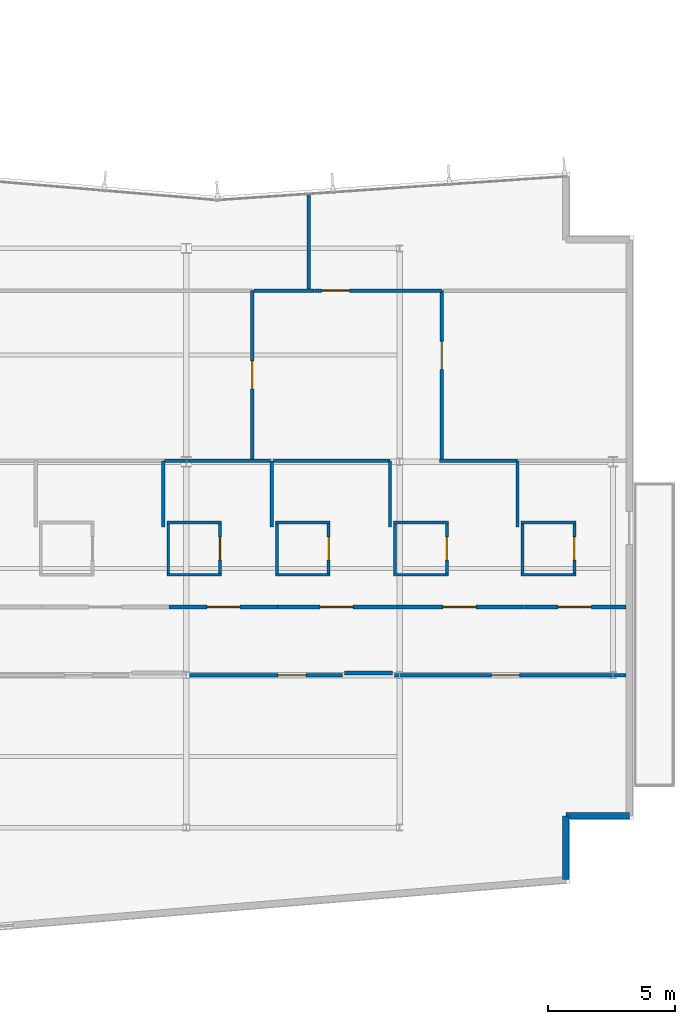
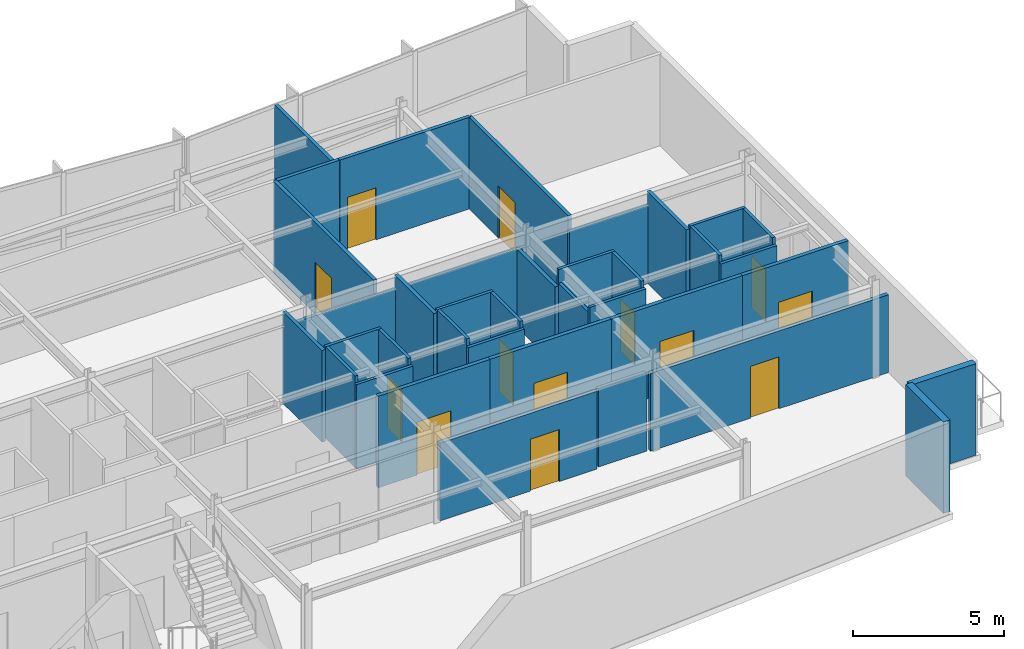
# One storey, part 11 of 15: 37 walls, 13 doors, 13 openings.
"""IFC4 building model written with IfcOpenShell, lengths in metres."""

from ifc_helpers import new_model, si_unit, direction, frame, frame_2d, origin, place, context, subcontext, project, spatial, rectangle, extrude, material, layer, layer_set, type_object, element, fill, save


model = new_model("IFC4")

# Units and contexts
model_context = context("Model", 3, precision=1e-05, world=origin(), true_north=direction((0.0, 1.0)))
body_context = subcontext(model_context, "Body", "Model", "MODEL_VIEW")
ifc_project = project(units=[si_unit("LENGTHUNIT", "METRE"), si_unit("AREAUNIT", "SQUARE_METRE"), si_unit("VOLUMEUNIT", "CUBIC_METRE"), si_unit("PLANEANGLEUNIT", "RADIAN"), si_unit("MASSUNIT", "GRAM", prefix="KILO")], contexts=[model_context])

# Site, building, storey
site_placement = place(None, origin())
site = spatial("IfcSite", under=ifc_project, at=site_placement, CompositionType="ELEMENT")
building_placement = place(site_placement, origin())
building = spatial("IfcBuilding", under=site, at=building_placement, Name="Varnakote Quay Hospital", CompositionType="ELEMENT")
storey_placement = place(building_placement, frame((0.0, 0.0, 200.0)))
storey = spatial("IfcBuildingStorey", under=building, at=storey_placement, Name="L49", CompositionType="ELEMENT", Elevation=200.0)

# Walls
ifc_material_1 = material(Name="Fire-rated acoustic gypsum stud wall", Category="gypsum")
ifc_layer_1 = layer(ifc_material_1, 0.159912109375)
ifc_layer_set_1 = layer_set([ifc_layer_1], Name="Fire-rated acoustic gypsum stud wall")
wall_type_1 = type_object("IfcWallType", Name="WL-COMP-160", PredefinedType="PARTITIONING", material=ifc_layer_set_1)
wall_1_placement = place(storey_placement, frame((39.83935546875, 12.080078125, 0.0), z_axis=(0.0, 0.0, 1.0), x_axis=(1.0, 0.0, 0.0)))
element("IfcWall", 1, at=wall_1_placement, inside=storey, type_object=wall_type_1, Name="L49 Corridor South Gap Wall", PredefinedType="PARTITIONING", context=body_context, shape_type="SweptSolid", body=[
    extrude(rectangle(XDim=1.871337890625, YDim=0.159912109375, at=frame_2d((0.935546875, 0.0))), origin(), (0.0, 0.0, 1.0), 3.152099609375),
])
ifc_material_2 = material(Name="Moisture-resistant bathroom partition", Category="gypsum")
ifc_layer_2 = layer(ifc_material_2, 0.114990234375)
ifc_layer_set_2 = layer_set([ifc_layer_2], Name="Moisture-resistant bathroom partition")
wall_type_2 = type_object("IfcWallType", Name="WL-ENS-115", PredefinedType="PARTITIONING", material=ifc_layer_set_2)
wall_2_placement = place(storey_placement, frame((32.8349609375, 15.952392578125, 0.0), z_axis=(0.0, 0.0, 1.0), x_axis=(1.0, 0.0, 0.0)))
element("IfcWall", 2, at=wall_2_placement, inside=storey, type_object=wall_type_2, Name="L49 Inpatient En-Suite Bathroom 05 S Wall", PredefinedType="PARTITIONING", context=body_context, shape_type="SweptSolid", body=[
    extrude(rectangle(XDim=2.150146484375, YDim=0.114990234375, at=frame_2d((1.0751953125, 0.0))), origin(), (0.0, 0.0, 1.0), 3.428955078125),
])
wall_3_placement = place(storey_placement, frame((32.8349609375, 18.017578125, 0.0), z_axis=(0.0, 0.0, 1.0), x_axis=(1.0, 0.0, 0.0)))
element("IfcWall", 3, at=wall_3_placement, inside=storey, type_object=wall_type_2, Name="L49 Inpatient En-Suite Bathroom 05 N Wall", PredefinedType="PARTITIONING", context=body_context, shape_type="SweptSolid", body=[
    extrude(rectangle(XDim=2.150146484375, YDim=0.114990234375, at=frame_2d((1.0751953125, 0.0))), origin(), (0.0, 0.0, 1.0), 3.7099609375),
])
wall_4_placement = place(storey_placement, frame((32.892578125, 16.010009765625, 0.0), z_axis=(0.0, 0.0, 1.0), x_axis=(0.0, 1.0, 0.0)))
element("IfcWall", 4, at=wall_4_placement, inside=storey, type_object=wall_type_2, Name="L49 Inpatient En-Suite Bathroom 05 W Wall", PredefinedType="PARTITIONING", context=body_context, shape_type="SweptSolid", body=[
    extrude(rectangle(XDim=1.949951171875, YDim=0.114990234375, at=frame_2d((0.97509765625, 0.0))), origin(), (0.0, 0.0, 1.0), 3.7099609375),
])

# Wall, opening, door
wall_5_placement = place(storey_placement, frame((34.927490234375, 16.010009765625, 0.0), z_axis=(0.0, 0.0, 1.0), x_axis=(0.0, 1.0, 0.0)))
wall_5 = element("IfcWall", 5, at=wall_5_placement, inside=storey, type_object=wall_type_2, Name="L49 Inpatient En-Suite Bathroom 05 E Wall", PredefinedType="PARTITIONING", context=body_context, shape_type="SweptSolid", body=[
    extrude(rectangle(XDim=1.949951171875, YDim=0.114990234375, at=frame_2d((0.97509765625, 0.0))), origin(), (0.0, 0.0, 1.0), 3.7099609375),
])
opening_1_placement = place(wall_5_placement, frame((0.514892578125, 0.0, 0.0)))
opening_1 = element("IfcOpeningElement", 6, at=opening_1_placement, cuts=wall_5, Name="Opening D-L49-ENS05", PredefinedType="OPENING", context=body_context, shape_type="SweptSolid", body=[
    extrude(rectangle(XDim=0.919921875, YDim=2.10009765625, at=frame_2d((0.4599609375, 1.050048828125))), frame((0.0, 0.0673828125, 0.0), z_axis=(0.0, -1.0, 0.0), x_axis=(1.0, 0.0, 0.0)), (0.0, 0.0, 1.0), 0.135009765625),
])
ifc_material_3 = material(Name="Moisture-sealed en-suite bathroom door")
door_type_1 = type_object("IfcDoorType", Name="DR-ENS-920x2100", OperationType="NOTDEFINED", PredefinedType="DOOR", material=ifc_material_3)
door_1_placement = place(opening_1_placement, origin())
door_1 = element("IfcDoor", 7, at=door_1_placement, inside=storey, type_object=door_type_1, Name="L49 Inpatient En-Suite Bathroom 05 Door", OperationType="SINGLE_SWING_RIGHT", OverallHeight=2.10009765625, OverallWidth=0.919921875, PredefinedType="DOOR", context=body_context, shape_type="SweptSolid", body=[
    extrude(rectangle(XDim=0.919921875, YDim=2.10009765625, at=frame_2d((0.4599609375, 1.050048828125))), frame((0.0, 0.02490234375, 0.0), z_axis=(0.0, -1.0, 0.0), x_axis=(1.0, 0.0, 0.0)), (0.0, 0.0, 1.0), 0.050048828125),
])
fill(opening_1, door_1)

# Walls
wall_6_placement = place(storey_placement, frame((37.114990234375, 15.952392578125, 0.0), z_axis=(0.0, 0.0, 1.0), x_axis=(1.0, 0.0, 0.0)))
element("IfcWall", 8, at=wall_6_placement, inside=storey, type_object=wall_type_2, Name="L49 Inpatient En-Suite Bathroom 06 S Wall", PredefinedType="PARTITIONING", context=body_context, shape_type="SweptSolid", body=[
    extrude(rectangle(XDim=2.14990234375, YDim=0.114990234375, at=frame_2d((1.074951171875, 0.0))), origin(), (0.0, 0.0, 1.0), 3.428955078125),
])
wall_7_placement = place(storey_placement, frame((37.114990234375, 18.017578125, 0.0), z_axis=(0.0, 0.0, 1.0), x_axis=(1.0, 0.0, 0.0)))
element("IfcWall", 9, at=wall_7_placement, inside=storey, type_object=wall_type_2, Name="L49 Inpatient En-Suite Bathroom 06 N Wall", PredefinedType="PARTITIONING", context=body_context, shape_type="SweptSolid", body=[
    extrude(rectangle(XDim=2.14990234375, YDim=0.114990234375, at=frame_2d((1.074951171875, 0.0))), origin(), (0.0, 0.0, 1.0), 3.7099609375),
])
wall_8_placement = place(storey_placement, frame((37.172607421875, 16.010009765625, 0.0), z_axis=(0.0, 0.0, 1.0), x_axis=(0.0, 1.0, 0.0)))
element("IfcWall", 10, at=wall_8_placement, inside=storey, type_object=wall_type_2, Name="L49 Inpatient En-Suite Bathroom 06 W Wall", PredefinedType="PARTITIONING", context=body_context, shape_type="SweptSolid", body=[
    extrude(rectangle(XDim=1.949951171875, YDim=0.114990234375, at=frame_2d((0.97509765625, 0.0))), origin(), (0.0, 0.0, 1.0), 3.7099609375),
])

# Wall, opening, door
wall_9_placement = place(storey_placement, frame((39.20751953125, 16.010009765625, 0.0), z_axis=(0.0, 0.0, 1.0), x_axis=(0.0, 1.0, 0.0)))
wall_9 = element("IfcWall", 11, at=wall_9_placement, inside=storey, type_object=wall_type_2, Name="L49 Inpatient En-Suite Bathroom 06 E Wall", PredefinedType="PARTITIONING", context=body_context, shape_type="SweptSolid", body=[
    extrude(rectangle(XDim=1.949951171875, YDim=0.114990234375, at=frame_2d((0.97509765625, 0.0))), origin(), (0.0, 0.0, 1.0), 3.7099609375),
])
opening_2_placement = place(wall_9_placement, frame((0.514892578125, 0.0, 0.0)))
opening_2 = element("IfcOpeningElement", 12, at=opening_2_placement, cuts=wall_9, Name="Opening D-L49-ENS06", PredefinedType="OPENING", context=body_context, shape_type="SweptSolid", body=[
    extrude(rectangle(XDim=0.919921875, YDim=2.10009765625, at=frame_2d((0.4599609375, 1.050048828125))), frame((0.0, 0.0673828125, 0.0), z_axis=(0.0, -1.0, 0.0), x_axis=(1.0, 0.0, 0.0)), (0.0, 0.0, 1.0), 0.135009765625),
])
door_2_placement = place(opening_2_placement, origin())
door_2 = element("IfcDoor", 13, at=door_2_placement, inside=storey, type_object=door_type_1, Name="L49 Inpatient En-Suite Bathroom 06 Door", OperationType="SINGLE_SWING_LEFT", OverallHeight=2.10009765625, OverallWidth=0.919921875, PredefinedType="DOOR", context=body_context, shape_type="SweptSolid", body=[
    extrude(rectangle(XDim=0.919921875, YDim=2.10009765625, at=frame_2d((0.4599609375, 1.050048828125))), frame((0.0, 0.02490234375, 0.0), z_axis=(0.0, -1.0, 0.0), x_axis=(1.0, 0.0, 0.0)), (0.0, 0.0, 1.0), 0.050048828125),
])
fill(opening_2, door_2)

# Walls
wall_10_placement = place(storey_placement, frame((41.764892578125, 15.952392578125, 0.0), z_axis=(0.0, 0.0, 1.0), x_axis=(1.0, 0.0, 0.0)))
element("IfcWall", 14, at=wall_10_placement, inside=storey, type_object=wall_type_2, Name="L49 Inpatient En-Suite Bathroom 07 S Wall", PredefinedType="PARTITIONING", context=body_context, shape_type="SweptSolid", body=[
    extrude(rectangle(XDim=2.150146484375, YDim=0.114990234375, at=frame_2d((1.0751953125, 0.0))), origin(), (0.0, 0.0, 1.0), 3.428955078125),
])
wall_11_placement = place(storey_placement, frame((41.764892578125, 18.017578125, 0.0), z_axis=(0.0, 0.0, 1.0), x_axis=(1.0, 0.0, 0.0)))
element("IfcWall", 15, at=wall_11_placement, inside=storey, type_object=wall_type_2, Name="L49 Inpatient En-Suite Bathroom 07 N Wall", PredefinedType="PARTITIONING", context=body_context, shape_type="SweptSolid", body=[
    extrude(rectangle(XDim=2.150146484375, YDim=0.114990234375, at=frame_2d((1.0751953125, 0.0))), origin(), (0.0, 0.0, 1.0), 3.7099609375),
])
wall_12_placement = place(storey_placement, frame((41.822509765625, 16.010009765625, 0.0), z_axis=(0.0, 0.0, 1.0), x_axis=(0.0, 1.0, 0.0)))
element("IfcWall", 16, at=wall_12_placement, inside=storey, type_object=wall_type_2, Name="L49 Inpatient En-Suite Bathroom 07 W Wall", PredefinedType="PARTITIONING", context=body_context, shape_type="SweptSolid", body=[
    extrude(rectangle(XDim=1.949951171875, YDim=0.114990234375, at=frame_2d((0.97509765625, 0.0))), origin(), (0.0, 0.0, 1.0), 3.156982421875),
])

# Wall, opening, door
wall_13_placement = place(storey_placement, frame((43.857421875, 16.010009765625, 0.0), z_axis=(0.0, 0.0, 1.0), x_axis=(0.0, 1.0, 0.0)))
wall_13 = element("IfcWall", 17, at=wall_13_placement, inside=storey, type_object=wall_type_2, Name="L49 Inpatient En-Suite Bathroom 07 E Wall", PredefinedType="PARTITIONING", context=body_context, shape_type="SweptSolid", body=[
    extrude(rectangle(XDim=1.949951171875, YDim=0.114990234375, at=frame_2d((0.97509765625, 0.0))), origin(), (0.0, 0.0, 1.0), 3.7099609375),
])
opening_3_placement = place(wall_13_placement, frame((0.514892578125, 0.0, 0.0)))
opening_3 = element("IfcOpeningElement", 18, at=opening_3_placement, cuts=wall_13, Name="Opening D-L49-ENS07", PredefinedType="OPENING", context=body_context, shape_type="SweptSolid", body=[
    extrude(rectangle(XDim=0.919921875, YDim=2.10009765625, at=frame_2d((0.4599609375, 1.050048828125))), frame((0.0, 0.0673828125, 0.0), z_axis=(0.0, -1.0, 0.0), x_axis=(1.0, 0.0, 0.0)), (0.0, 0.0, 1.0), 0.135009765625),
])
door_3_placement = place(opening_3_placement, origin())
door_3 = element("IfcDoor", 19, at=door_3_placement, inside=storey, type_object=door_type_1, Name="L49 Inpatient En-Suite Bathroom 07 Door", OperationType="SINGLE_SWING_RIGHT", OverallHeight=2.10009765625, OverallWidth=0.919921875, PredefinedType="DOOR", context=body_context, shape_type="SweptSolid", body=[
    extrude(rectangle(XDim=0.919921875, YDim=2.10009765625, at=frame_2d((0.4599609375, 1.050048828125))), frame((0.0, 0.02490234375, 0.0), z_axis=(0.0, -1.0, 0.0), x_axis=(1.0, 0.0, 0.0)), (0.0, 0.0, 1.0), 0.050048828125),
])
fill(opening_3, door_3)

# Walls
wall_14_placement = place(storey_placement, frame((46.784912109375, 15.952392578125, 0.0), z_axis=(0.0, 0.0, 1.0), x_axis=(1.0, 0.0, 0.0)))
element("IfcWall", 20, at=wall_14_placement, inside=storey, type_object=wall_type_2, Name="L49 Inpatient En-Suite Bathroom 08 S Wall", PredefinedType="PARTITIONING", context=body_context, shape_type="SweptSolid", body=[
    extrude(rectangle(XDim=2.150146484375, YDim=0.114990234375, at=frame_2d((1.0751953125, 0.0))), origin(), (0.0, 0.0, 1.0), 3.428955078125),
])
wall_15_placement = place(storey_placement, frame((46.784912109375, 18.017578125, 0.0), z_axis=(0.0, 0.0, 1.0), x_axis=(1.0, 0.0, 0.0)))
element("IfcWall", 21, at=wall_15_placement, inside=storey, type_object=wall_type_2, Name="L49 Inpatient En-Suite Bathroom 08 N Wall", PredefinedType="PARTITIONING", context=body_context, shape_type="SweptSolid", body=[
    extrude(rectangle(XDim=2.150146484375, YDim=0.114990234375, at=frame_2d((1.0751953125, 0.0))), origin(), (0.0, 0.0, 1.0), 3.7099609375),
])
wall_16_placement = place(storey_placement, frame((46.842529296875, 16.010009765625, 0.0), z_axis=(0.0, 0.0, 1.0), x_axis=(0.0, 1.0, 0.0)))
element("IfcWall", 22, at=wall_16_placement, inside=storey, type_object=wall_type_2, Name="L49 Inpatient En-Suite Bathroom 08 W Wall", PredefinedType="PARTITIONING", context=body_context, shape_type="SweptSolid", body=[
    extrude(rectangle(XDim=1.949951171875, YDim=0.114990234375, at=frame_2d((0.97509765625, 0.0))), origin(), (0.0, 0.0, 1.0), 3.7099609375),
])

# Wall, opening, door
wall_17_placement = place(storey_placement, frame((48.87744140625, 16.010009765625, 0.0), z_axis=(0.0, 0.0, 1.0), x_axis=(0.0, 1.0, 0.0)))
wall_17 = element("IfcWall", 23, at=wall_17_placement, inside=storey, type_object=wall_type_2, Name="L49 Inpatient En-Suite Bathroom 08 E Wall", PredefinedType="PARTITIONING", context=body_context, shape_type="SweptSolid", body=[
    extrude(rectangle(XDim=1.949951171875, YDim=0.114990234375, at=frame_2d((0.97509765625, 0.0))), origin(), (0.0, 0.0, 1.0), 3.7099609375),
])
opening_4_placement = place(wall_17_placement, frame((0.514892578125, 0.0, 0.0)))
opening_4 = element("IfcOpeningElement", 24, at=opening_4_placement, cuts=wall_17, Name="Opening D-L49-ENS08", PredefinedType="OPENING", context=body_context, shape_type="SweptSolid", body=[
    extrude(rectangle(XDim=0.919921875, YDim=2.10009765625, at=frame_2d((0.4599609375, 1.050048828125))), frame((0.0, 0.0673828125, 0.0), z_axis=(0.0, -1.0, 0.0), x_axis=(1.0, 0.0, 0.0)), (0.0, 0.0, 1.0), 0.135009765625),
])
door_4_placement = place(opening_4_placement, origin())
door_4 = element("IfcDoor", 25, at=door_4_placement, inside=storey, type_object=door_type_1, Name="L49 Inpatient En-Suite Bathroom 08 Door", OperationType="SINGLE_SWING_LEFT", OverallHeight=2.10009765625, OverallWidth=0.919921875, PredefinedType="DOOR", context=body_context, shape_type="SweptSolid", body=[
    extrude(rectangle(XDim=0.919921875, YDim=2.10009765625, at=frame_2d((0.4599609375, 1.050048828125))), frame((0.0, 0.02490234375, 0.0), z_axis=(0.0, -1.0, 0.0), x_axis=(1.0, 0.0, 0.0)), (0.0, 0.0, 1.0), 0.050048828125),
])
fill(opening_4, door_4)

# Walls
ifc_material_4 = material(Name="Precast concrete N50 (f'c 50 MPa)", Category="concrete")
ifc_layer_3 = layer(ifc_material_4, 0.260009765625)
ifc_layer_set_3 = layer_set([ifc_layer_3], Name="Precast concrete N50 (f'c 50 MPa)")
wall_type_3 = type_object("IfcWallType", Name="WL-EXT-BRICK-260", PredefinedType="STANDARD", material=ifc_layer_set_3)
wall_18_placement = place(storey_placement, frame((48.5400390625, 3.947509765625, 0.0), z_axis=(0.0, 0.0, 1.0), x_axis=(0.0, 1.0, 0.0)))
element("IfcWall", 26, at=wall_18_placement, inside=storey, type_object=wall_type_3, Name="L49 Brick-Faced Precast Exterior Wall", PredefinedType="STANDARD", context=body_context, shape_type="SweptSolid", body=[
    extrude(rectangle(XDim=2.512451171875, YDim=0.260009765625, at=frame_2d((1.25634765625, 0.0))), origin(), (0.0, 0.0, 1.0), 3.7099609375),
])
wall_19_placement = place(storey_placement, frame((48.5400390625, 6.4599609375, 0.0), z_axis=(0.0, 0.0, 1.0), x_axis=(1.0, 0.0, 0.0)))
element("IfcWall", 27, at=wall_19_placement, inside=storey, type_object=wall_type_3, Name="L49 Brick-Faced Precast Exterior Wall", PredefinedType="STANDARD", context=body_context, shape_type="SweptSolid", body=[
    extrude(rectangle(XDim=2.5, YDim=0.260009765625, at=frame_2d((1.25, 0.0))), origin(), (0.0, 0.0, 1.0), 3.7099609375),
])
ifc_material_5 = material(Name="Smoke-proof clinical partition", Category="gypsum")
ifc_layer_4 = layer(ifc_material_5, 0.135009765625)
ifc_layer_set_4 = layer_set([ifc_layer_4], Name="Smoke-proof clinical partition")
wall_type_4 = type_object("IfcWallType", Name="WL-SMOKE-135", PredefinedType="PARTITIONING", material=ifc_layer_set_4)
for number, where, z_axis, x_axis, name in (
    (28, (32.68994140625, 17.83251953125, 0.0), (0.0, 0.0, 1.0), (0.0, 1.0, 0.0), "L49 Clinical Interior Partition"),
    (29, (36.969970703125, 17.83251953125, 0.0), (0.0, 0.0, 1.0), (0.0, 1.0, 0.0), "L49 Clinical Interior Partition"),
):
    element("IfcWall", number, at=place(storey_placement, frame(where, z_axis=z_axis, x_axis=x_axis)), inside=storey, type_object=wall_type_4, Name=name, PredefinedType="PARTITIONING", context=body_context, shape_type="SweptSolid", body=[
        extrude(rectangle(XDim=2.607421875, YDim=0.135009765625, at=frame_2d((1.3037109375, 0.0))), origin(), (0.0, 0.0, 1.0), 3.7099609375),
    ])
wall_20_placement = place(storey_placement, frame((36.91259765625, 20.43994140625, 0.0), z_axis=(0.0, 0.0, 1.0), x_axis=(-1.0, 0.0, 0.0)))
element("IfcWall", 30, at=wall_20_placement, inside=storey, type_object=wall_type_4, Name="L49 Clinical Interior Partition", PredefinedType="PARTITIONING", context=body_context, shape_type="SweptSolid", body=[
    extrude(rectangle(XDim=4.1650390625, YDim=0.135009765625, at=frame_2d((2.08251953125, 0.0))), origin(), (0.0, 0.0, 1.0), 3.152099609375),
])
wall_21_placement = place(storey_placement, frame((41.6201171875, 17.83251953125, 0.0), z_axis=(0.0, 0.0, 1.0), x_axis=(0.0, 1.0, 0.0)))
element("IfcWall", 31, at=wall_21_placement, inside=storey, type_object=wall_type_4, Name="L49 Clinical Interior Partition", PredefinedType="PARTITIONING", context=body_context, shape_type="SweptSolid", body=[
    extrude(rectangle(XDim=2.607421875, YDim=0.135009765625, at=frame_2d((1.3037109375, 0.0))), origin(), (0.0, 0.0, 1.0), 3.156982421875),
])
wall_22_placement = place(storey_placement, frame((41.6201171875, 20.43994140625, 0.0), z_axis=(0.0, 0.0, 1.0), x_axis=(-1.0, 0.0, 0.0)))
element("IfcWall", 32, at=wall_22_placement, inside=storey, type_object=wall_type_4, Name="L49 Clinical Interior Partition", PredefinedType="PARTITIONING", context=body_context, shape_type="SweptSolid", body=[
    extrude(rectangle(XDim=4.592529296875, YDim=0.135009765625, at=frame_2d((2.29638671875, 0.0))), origin(), (0.0, 0.0, 1.0), 3.152099609375),
])
wall_23_placement = place(storey_placement, frame((46.639892578125, 17.83251953125, 0.0), z_axis=(0.0, 0.0, 1.0), x_axis=(0.0, 1.0, 0.0)))
element("IfcWall", 33, at=wall_23_placement, inside=storey, type_object=wall_type_4, Name="L49 Clinical Interior Partition", PredefinedType="PARTITIONING", context=body_context, shape_type="SweptSolid", body=[
    extrude(rectangle(XDim=2.607421875, YDim=0.135009765625, at=frame_2d((1.3037109375, 0.0))), origin(), (0.0, 0.0, 1.0), 3.7099609375),
])
wall_24_placement = place(storey_placement, frame((46.639892578125, 20.43994140625, 0.0), z_axis=(0.0, 0.0, 1.0), x_axis=(-1.0, 0.0, 0.0)))
element("IfcWall", 34, at=wall_24_placement, inside=storey, type_object=wall_type_4, Name="L49 Clinical Interior Partition", PredefinedType="PARTITIONING", context=body_context, shape_type="SweptSolid", body=[
    extrude(rectangle(XDim=3.0673828125, YDim=0.135009765625, at=frame_2d((1.53369140625, 0.0))), origin(), (0.0, 0.0, 1.0), 3.152099609375),
])

# Wall, opening, door
wall_25_placement = place(storey_placement, frame((36.199951171875, 20.49755859375, 0.0), z_axis=(0.0, 0.0, 1.0), x_axis=(0.0, 1.0, 0.0)))
wall_25 = element("IfcWall", 35, at=wall_25_placement, inside=storey, type_object=wall_type_4, Name="L49 Clinical Interior Partition", PredefinedType="PARTITIONING", context=body_context, shape_type="SweptSolid", body=[
    extrude(rectangle(XDim=6.642333984375, YDim=0.135009765625, at=frame_2d((3.3212890625, 0.0))), origin(), (0.0, 0.0, 1.0), 3.7099609375),
])
opening_5_placement = place(wall_25_placement, frame((2.771240234375, 0.0, 0.0)))
opening_5 = element("IfcOpeningElement", 36, at=opening_5_placement, cuts=wall_25, Name="Opening D-L49-DLNG", PredefinedType="OPENING", context=body_context, shape_type="SweptSolid", body=[
    extrude(rectangle(XDim=1.10009765625, YDim=2.10009765625, at=frame_2d((0.550048828125, 1.050048828125))), frame((0.0, 0.077392578125, 0.0), z_axis=(0.0, -1.0, 0.0), x_axis=(1.0, 0.0, 0.0)), (0.0, 0.0, 1.0), 0.155029296875),
])
ifc_material_6 = material(Name="Acoustic timber clinical consult door", Category="wood")
door_type_2 = type_object("IfcDoorType", Name="DR-CLIN-FD30S-1100x2100", OperationType="NOTDEFINED", PredefinedType="DOOR", material=ifc_material_6)
door_5_placement = place(opening_5_placement, origin())
door_5 = element("IfcDoor", 37, at=door_5_placement, inside=storey, type_object=door_type_2, Name="L49 Waterfront Patient & Family Dayroom Door", OperationType="SINGLE_SWING_RIGHT", OverallHeight=2.10009765625, OverallWidth=1.10009765625, PredefinedType="DOOR", context=body_context, shape_type="SweptSolid", body=[
    extrude(rectangle(XDim=1.10009765625, YDim=2.10009765625, at=frame_2d((0.550048828125, 1.050048828125))), frame((0.0, 0.02490234375, 0.0), z_axis=(0.0, -1.0, 0.0), x_axis=(1.0, 0.0, 0.0)), (0.0, 0.0, 1.0), 0.050048828125),
])
fill(opening_5, door_5)

wall_26_placement = place(storey_placement, frame((43.659912109375, 20.49755859375, 0.0), z_axis=(0.0, 0.0, 1.0), x_axis=(0.0, 1.0, 0.0)))
wall_26 = element("IfcWall", 38, at=wall_26_placement, inside=storey, type_object=wall_type_4, Name="L49 Clinical Interior Partition", PredefinedType="PARTITIONING", context=body_context, shape_type="SweptSolid", body=[
    extrude(rectangle(XDim=6.642333984375, YDim=0.135009765625, at=frame_2d((3.3212890625, 0.0))), origin(), (0.0, 0.0, 1.0), 3.7099609375),
])
opening_6_placement = place(wall_26_placement, frame((3.54248046875, 0.0, 0.0)))
opening_6 = element("IfcOpeningElement", 39, at=opening_6_placement, cuts=wall_26, Name="Opening D-L49-WPNT", PredefinedType="OPENING", context=body_context, shape_type="SweptSolid", body=[
    extrude(rectangle(XDim=1.10009765625, YDim=2.10009765625, at=frame_2d((0.550048828125, 1.050048828125))), frame((0.0, 0.077392578125, 0.0), z_axis=(0.0, -1.0, 0.0), x_axis=(1.0, 0.0, 0.0)), (0.0, 0.0, 1.0), 0.155029296875),
])
door_6_placement = place(opening_6_placement, origin())
door_6 = element("IfcDoor", 40, at=door_6_placement, inside=storey, type_object=door_type_2, Name="L49 Ward Clinical Nutrition Pantry Door", OperationType="SINGLE_SWING_RIGHT", OverallHeight=2.10009765625, OverallWidth=1.10009765625, PredefinedType="DOOR", context=body_context, shape_type="SweptSolid", body=[
    extrude(rectangle(XDim=1.10009765625, YDim=2.10009765625, at=frame_2d((0.550048828125, 1.050048828125))), frame((0.0, 0.02490234375, 0.0), z_axis=(0.0, -1.0, 0.0), x_axis=(1.0, 0.0, 0.0)), (0.0, 0.0, 1.0), 0.050048828125),
])
fill(opening_6, door_6)

# Wall
wall_27_placement = place(storey_placement, frame((38.637451171875, 27.139892578125, 0.0), z_axis=(0.0, 0.0, 1.0), x_axis=(-1.0, 0.0, 0.0)))
element("IfcWall", 41, at=wall_27_placement, inside=storey, type_object=wall_type_4, Name="L49 Clinical Interior Partition", PredefinedType="PARTITIONING", context=body_context, shape_type="SweptSolid", body=[
    extrude(rectangle(XDim=2.3798828125, YDim=0.135009765625, at=frame_2d((1.18994140625, 0.0))), origin(), (0.0, 0.0, 1.0), 3.7099609375),
])

# Wall, opening, door
wall_28_placement = place(storey_placement, frame((43.659912109375, 27.139892578125, 0.0), z_axis=(0.0, 0.0, 1.0), x_axis=(-1.0, 0.0, 0.0)))
wall_28 = element("IfcWall", 42, at=wall_28_placement, inside=storey, type_object=wall_type_4, Name="L49 Clinical Interior Partition", PredefinedType="PARTITIONING", context=body_context, shape_type="SweptSolid", body=[
    extrude(rectangle(XDim=5.0205078125, YDim=0.135009765625, at=frame_2d((2.51025390625, 0.0))), origin(), (0.0, 0.0, 1.0), 3.7099609375),
])
opening_7_placement = place(wall_28_placement, frame((3.632568359375, 0.0, 0.0)))
opening_7 = element("IfcOpeningElement", 43, at=opening_7_placement, cuts=wall_28, Name="Opening D-L49-MD07", PredefinedType="OPENING", context=body_context, shape_type="SweptSolid", body=[
    extrude(rectangle(XDim=1.10009765625, YDim=2.10009765625, at=frame_2d((0.550048828125, 1.050048828125))), frame((0.0, 0.077392578125, 0.0), z_axis=(0.0, -1.0, 0.0), x_axis=(1.0, 0.0, 0.0)), (0.0, 0.0, 1.0), 0.155029296875),
])
door_7_placement = place(opening_7_placement, origin())
door_7 = element("IfcDoor", 44, at=door_7_placement, inside=storey, type_object=door_type_2, Name="L49 Heart Team Clinical Consultation Suite Door", OperationType="SINGLE_SWING_LEFT", OverallHeight=2.10009765625, OverallWidth=1.10009765625, PredefinedType="DOOR", context=body_context, shape_type="SweptSolid", body=[
    extrude(rectangle(XDim=1.10009765625, YDim=2.10009765625, at=frame_2d((0.550048828125, 1.050048828125))), frame((0.0, 0.02490234375, 0.0), z_axis=(0.0, -1.0, 0.0), x_axis=(1.0, 0.0, 0.0)), (0.0, 0.0, 1.0), 0.050048828125),
])
fill(opening_7, door_7)

# Wall
wall_29_placement = place(storey_placement, frame((38.429931640625, 27.197509765625, 0.0), z_axis=(0.0, 0.0, 1.0), x_axis=(0.0, 1.0, 0.0)))
element("IfcWall", 45, at=wall_29_placement, inside=storey, type_object=wall_type_4, Name="L49 Clinical Interior Partition", PredefinedType="PARTITIONING", context=body_context, shape_type="SweptSolid", body=[
    extrude(rectangle(XDim=3.743896484375, YDim=0.135009765625, at=frame_2d((1.8720703125, 0.0))), origin(), (0.0, 0.0, 1.0), 3.7099609375),
])

# Wall, opening, door
ifc_material_7 = material(Name="Fire-rated clinical gypsum partition", Category="gypsum")
ifc_layer_5 = layer(ifc_material_7, 0.14990234375)
ifc_layer_set_5 = layer_set([ifc_layer_5], Name="Fire-rated clinical gypsum partition")
wall_type_5 = type_object("IfcWallType", Name="WL-WARD-150", PredefinedType="PARTITIONING", material=ifc_layer_set_5)
wall_30_placement = place(storey_placement, frame((39.75, 12.0, 0.0), z_axis=(0.0, 0.0, 1.0), x_axis=(-1.0, 0.0, 0.0)))
wall_30 = element("IfcWall", 46, at=wall_30_placement, inside=storey, type_object=wall_type_5, Name="L49 Clinical Interior Partition", PredefinedType="PARTITIONING", context=body_context, shape_type="SweptSolid", body=[
    extrude(rectangle(XDim=6.02197265625, YDim=0.14990234375, at=frame_2d((3.010986328125, 0.0))), origin(), (0.0, 0.0, 1.0), 3.152099609375),
])
opening_8_placement = place(wall_30_placement, frame((1.443603515625, 0.0, 0.0)))
opening_8 = element("IfcOpeningElement", 47, at=opening_8_placement, cuts=wall_30, Name="Opening D-L49-RM1", PredefinedType="OPENING", context=body_context, shape_type="SweptSolid", body=[
    extrude(rectangle(XDim=1.10009765625, YDim=2.10009765625, at=frame_2d((0.550048828125, 1.050048828125))), frame((0.0, 0.0849609375, 0.0), z_axis=(0.0, -1.0, 0.0), x_axis=(1.0, 0.0, 0.0)), (0.0, 0.0, 1.0), 0.169921875),
])
door_8_placement = place(opening_8_placement, origin())
door_8 = element("IfcDoor", 48, at=door_8_placement, inside=storey, type_object=door_type_2, Name="L49 Cardiac Telemetry Treatment Suite Door", OperationType="SINGLE_SWING_LEFT", OverallHeight=2.10009765625, OverallWidth=1.10009765625, PredefinedType="DOOR", context=body_context, shape_type="SweptSolid", body=[
    extrude(rectangle(XDim=1.10009765625, YDim=2.10009765625, at=frame_2d((0.550048828125, 1.050048828125))), frame((0.0, 0.02490234375, 0.0), z_axis=(0.0, -1.0, 0.0), x_axis=(1.0, 0.0, 0.0)), (0.0, 0.0, 1.0), 0.050048828125),
])
fill(opening_8, door_8)

wall_31_placement = place(storey_placement, frame((50.919921875, 12.0, 0.0), z_axis=(0.0, 0.0, 1.0), x_axis=(-1.0, 0.0, 0.0)))
wall_31 = element("IfcWall", 49, at=wall_31_placement, inside=storey, type_object=wall_type_5, Name="L49 Clinical Interior Partition", PredefinedType="PARTITIONING", context=body_context, shape_type="SweptSolid", body=[
    extrude(rectangle(XDim=9.119873046875, YDim=0.14990234375, at=frame_2d((4.56005859375, 0.0))), origin(), (0.0, 0.0, 1.0), 3.152099609375),
])
opening_9_placement = place(wall_31_placement, frame((4.200439453125, 0.0, 0.0)))
opening_9 = element("IfcOpeningElement", 50, at=opening_9_placement, cuts=wall_31, Name="Opening D-L49-SE1", PredefinedType="OPENING", context=body_context, shape_type="SweptSolid", body=[
    extrude(rectangle(XDim=1.10009765625, YDim=2.10009765625, at=frame_2d((0.550048828125, 1.050048828125))), frame((0.0, 0.0849609375, 0.0), z_axis=(0.0, -1.0, 0.0), x_axis=(1.0, 0.0, 0.0)), (0.0, 0.0, 1.0), 0.169921875),
])
door_9_placement = place(opening_9_placement, origin())
door_9 = element("IfcDoor", 51, at=door_9_placement, inside=storey, type_object=door_type_2, Name="L49 Clinical Biomedical Engineering Office Door", OperationType="SINGLE_SWING_RIGHT", OverallHeight=2.10009765625, OverallWidth=1.10009765625, PredefinedType="DOOR", context=body_context, shape_type="SweptSolid", body=[
    extrude(rectangle(XDim=1.10009765625, YDim=2.10009765625, at=frame_2d((0.550048828125, 1.050048828125))), frame((0.0, 0.02490234375, 0.0), z_axis=(0.0, -1.0, 0.0), x_axis=(1.0, 0.0, 0.0)), (0.0, 0.0, 1.0), 0.050048828125),
])
fill(opening_9, door_9)

wall_32_placement = place(storey_placement, frame((37.196044921875, 14.679931640625, 0.0), z_axis=(0.0, 0.0, 1.0), x_axis=(-1.0, 0.0, 0.0)))
wall_32 = element("IfcWall", 52, at=wall_32_placement, inside=storey, type_object=wall_type_5, Name="L49 Clinical Interior Partition", PredefinedType="PARTITIONING", context=body_context, shape_type="SweptSolid", body=[
    extrude(rectangle(XDim=4.278076171875, YDim=0.14990234375, at=frame_2d((2.13916015625, 0.0))), origin(), (0.0, 0.0, 1.0), 3.7099609375),
])
opening_10_placement = place(wall_32_placement, frame((1.489013671875, 0.0, 0.0)))
opening_10 = element("IfcOpeningElement", 53, at=opening_10_placement, cuts=wall_32, Name="Opening D-L49-BR05", PredefinedType="OPENING", context=body_context, shape_type="SweptSolid", body=[
    extrude(rectangle(XDim=1.300048828125, YDim=2.14990234375, at=frame_2d((0.64990234375, 1.074951171875))), frame((0.0, 0.0849609375, 0.0), z_axis=(0.0, -1.0, 0.0), x_axis=(1.0, 0.0, 0.0)), (0.0, 0.0, 1.0), 0.169921875),
])
ifc_material_8 = material(Name="Solid-core timber clinical bed door", Category="wood")
door_type_3 = type_object("IfcDoorType", Name="DR-WARD-FD30S-1300x2150", OperationType="NOTDEFINED", PredefinedType="DOOR", material=ifc_material_8)
door_10_placement = place(opening_10_placement, origin())
door_10 = element("IfcDoor", 54, at=door_10_placement, inside=storey, type_object=door_type_3, Name="L49 Resident Care Bedroom 05 Door", OperationType="SINGLE_SWING_LEFT", OverallHeight=2.14990234375, OverallWidth=1.300048828125, PredefinedType="DOOR", context=body_context, shape_type="SweptSolid", body=[
    extrude(rectangle(XDim=1.300048828125, YDim=2.14990234375, at=frame_2d((0.64990234375, 1.074951171875))), frame((0.0, 0.02490234375, 0.0), z_axis=(0.0, -1.0, 0.0), x_axis=(1.0, 0.0, 0.0)), (0.0, 0.0, 1.0), 0.050048828125),
])
fill(opening_10, door_10)

wall_33_placement = place(storey_placement, frame((41.845947265625, 14.679931640625, 0.0), z_axis=(0.0, 0.0, 1.0), x_axis=(-1.0, 0.0, 0.0)))
wall_33 = element("IfcWall", 55, at=wall_33_placement, inside=storey, type_object=wall_type_5, Name="L49 Clinical Interior Partition", PredefinedType="PARTITIONING", context=body_context, shape_type="SweptSolid", body=[
    extrude(rectangle(XDim=4.64794921875, YDim=0.14990234375, at=frame_2d((2.323974609375, 0.0))), origin(), (0.0, 0.0, 1.0), 3.7099609375),
])
opening_11_placement = place(wall_33_placement, frame((1.674072265625, 0.0, 0.0)))
opening_11 = element("IfcOpeningElement", 56, at=opening_11_placement, cuts=wall_33, Name="Opening D-L49-BR06", PredefinedType="OPENING", context=body_context, shape_type="SweptSolid", body=[
    extrude(rectangle(XDim=1.300048828125, YDim=2.14990234375, at=frame_2d((0.64990234375, 1.074951171875))), frame((0.0, 0.0849609375, 0.0), z_axis=(0.0, -1.0, 0.0), x_axis=(1.0, 0.0, 0.0)), (0.0, 0.0, 1.0), 0.169921875),
])
door_11_placement = place(opening_11_placement, origin())
door_11 = element("IfcDoor", 57, at=door_11_placement, inside=storey, type_object=door_type_3, Name="L49 Resident Care Bedroom 06 Door", OperationType="SINGLE_SWING_RIGHT", OverallHeight=2.14990234375, OverallWidth=1.300048828125, PredefinedType="DOOR", context=body_context, shape_type="SweptSolid", body=[
    extrude(rectangle(XDim=1.300048828125, YDim=2.14990234375, at=frame_2d((0.64990234375, 1.074951171875))), frame((0.0, 0.02490234375, 0.0), z_axis=(0.0, -1.0, 0.0), x_axis=(1.0, 0.0, 0.0)), (0.0, 0.0, 1.0), 0.050048828125),
])
fill(opening_11, door_11)

wall_34_placement = place(storey_placement, frame((46.865966796875, 14.679931640625, 0.0), z_axis=(0.0, 0.0, 1.0), x_axis=(-1.0, 0.0, 0.0)))
wall_34 = element("IfcWall", 58, at=wall_34_placement, inside=storey, type_object=wall_type_5, Name="L49 Clinical Interior Partition", PredefinedType="PARTITIONING", context=body_context, shape_type="SweptSolid", body=[
    extrude(rectangle(XDim=5.01806640625, YDim=0.14990234375, at=frame_2d((2.509033203125, 0.0))), origin(), (0.0, 0.0, 1.0), 3.7099609375),
])
opening_12_placement = place(wall_34_placement, frame((1.85888671875, 0.0, 0.0)))
opening_12 = element("IfcOpeningElement", 59, at=opening_12_placement, cuts=wall_34, Name="Opening D-L49-BR07", PredefinedType="OPENING", context=body_context, shape_type="SweptSolid", body=[
    extrude(rectangle(XDim=1.300048828125, YDim=2.14990234375, at=frame_2d((0.64990234375, 1.074951171875))), frame((0.0, 0.0849609375, 0.0), z_axis=(0.0, -1.0, 0.0), x_axis=(1.0, 0.0, 0.0)), (0.0, 0.0, 1.0), 0.169921875),
])
door_12_placement = place(opening_12_placement, origin())
door_12 = element("IfcDoor", 60, at=door_12_placement, inside=storey, type_object=door_type_3, Name="L49 Resident Care Bedroom 07 Door", OperationType="SINGLE_SWING_LEFT", OverallHeight=2.14990234375, OverallWidth=1.300048828125, PredefinedType="DOOR", context=body_context, shape_type="SweptSolid", body=[
    extrude(rectangle(XDim=1.300048828125, YDim=2.14990234375, at=frame_2d((0.64990234375, 1.074951171875))), frame((0.0, 0.02490234375, 0.0), z_axis=(0.0, -1.0, 0.0), x_axis=(1.0, 0.0, 0.0)), (0.0, 0.0, 1.0), 0.050048828125),
])
fill(opening_12, door_12)

wall_35_placement = place(storey_placement, frame((50.919921875, 14.679931640625, 0.0), z_axis=(0.0, 0.0, 1.0), x_axis=(-1.0, 0.0, 0.0)))
wall_35 = element("IfcWall", 61, at=wall_35_placement, inside=storey, type_object=wall_type_5, Name="L49 Clinical Interior Partition", PredefinedType="PARTITIONING", context=body_context, shape_type="SweptSolid", body=[
    extrude(rectangle(XDim=4.052001953125, YDim=0.14990234375, at=frame_2d((2.02587890625, 0.0))), origin(), (0.0, 0.0, 1.0), 3.7099609375),
])
opening_13_placement = place(wall_35_placement, frame((1.3759765625, 0.0, 0.0)))
opening_13 = element("IfcOpeningElement", 62, at=opening_13_placement, cuts=wall_35, Name="Opening D-L49-BR08", PredefinedType="OPENING", context=body_context, shape_type="SweptSolid", body=[
    extrude(rectangle(XDim=1.300048828125, YDim=2.14990234375, at=frame_2d((0.64990234375, 1.074951171875))), frame((0.0, 0.0849609375, 0.0), z_axis=(0.0, -1.0, 0.0), x_axis=(1.0, 0.0, 0.0)), (0.0, 0.0, 1.0), 0.169921875),
])
door_13_placement = place(opening_13_placement, origin())
door_13 = element("IfcDoor", 63, at=door_13_placement, inside=storey, type_object=door_type_3, Name="L49 Resident Care Bedroom 08 Door", OperationType="SINGLE_SWING_RIGHT", OverallHeight=2.14990234375, OverallWidth=1.300048828125, PredefinedType="DOOR", context=body_context, shape_type="SweptSolid", body=[
    extrude(rectangle(XDim=1.300048828125, YDim=2.14990234375, at=frame_2d((0.64990234375, 1.074951171875))), frame((0.0, 0.02490234375, 0.0), z_axis=(0.0, -1.0, 0.0), x_axis=(1.0, 0.0, 0.0)), (0.0, 0.0, 1.0), 0.050048828125),
])
fill(opening_13, door_13)

save(model, "model.ifc")
